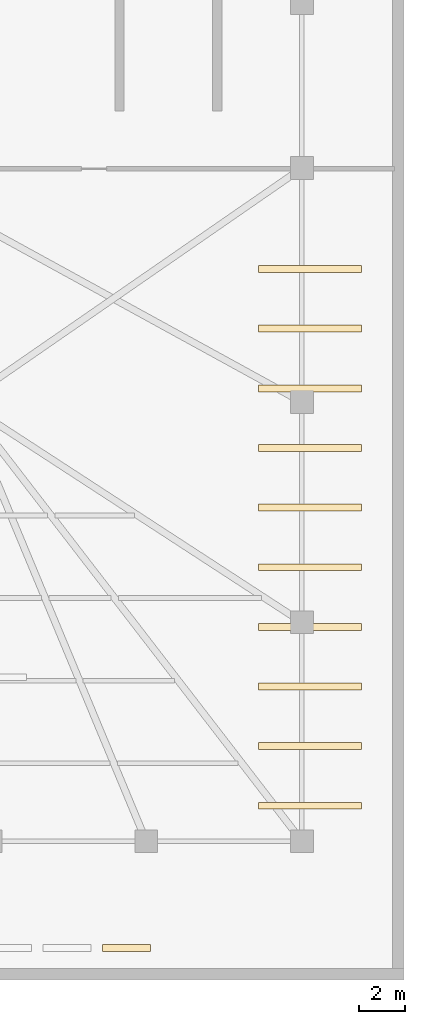
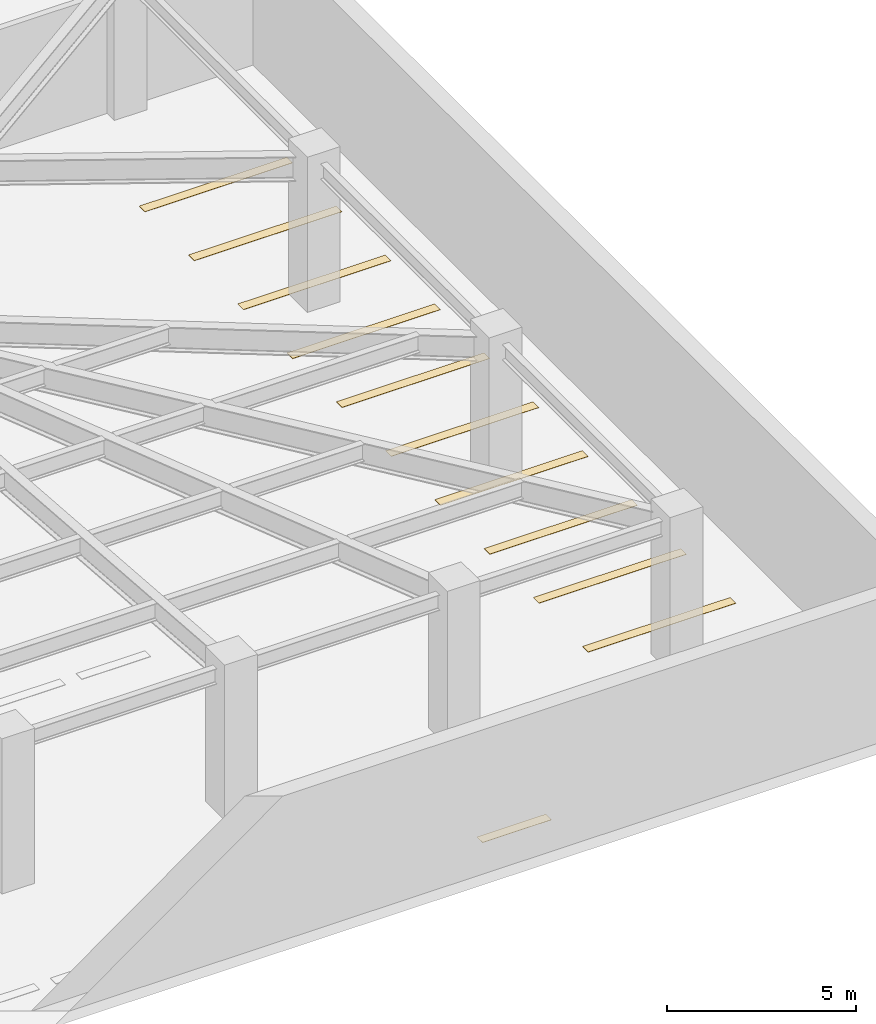
# One storey, part 8 of 8: 11 coverings.
"""IFC4 building model written with IfcOpenShell, lengths in metres."""

from ifc_helpers import new_model, si_unit, direction, frame, origin, place, context, subcontext, project, spatial, polyline, outline, extrude, material, layer, layer_set, type_object, element, save


model = new_model("IFC4")

# Units and contexts
model_context = context("Model", 3, precision=1e-05, world=origin(), true_north=direction((0.0, 1.0)))
body_context = subcontext(model_context, "Body", "Model", "MODEL_VIEW")
ifc_project = project(units=[si_unit("LENGTHUNIT", "METRE"), si_unit("AREAUNIT", "SQUARE_METRE"), si_unit("VOLUMEUNIT", "CUBIC_METRE"), si_unit("PLANEANGLEUNIT", "RADIAN"), si_unit("MASSUNIT", "GRAM", prefix="KILO")], contexts=[model_context])

# Site, building, storey
site_placement = place(None, origin())
site = spatial("IfcSite", under=ifc_project, at=site_placement, CompositionType="ELEMENT")
building_placement = place(site_placement, origin())
building = spatial("IfcBuilding", under=site, at=building_placement, Name="Yelkora Congress Tower", CompositionType="ELEMENT")
storey_placement = place(building_placement, frame((0.0, 0.0, -5.0)))
storey = spatial("IfcBuildingStorey", under=building, at=storey_placement, Name="B01", CompositionType="ELEMENT", Elevation=-5.0)

# Coverings
ifc_material = material(Name="Epoxy Resin Traffic Coating Grade E40", Category="plastic")
ifc_layer = layer(ifc_material, 0.010009765625)
ifc_layer_set = layer_set([ifc_layer], Name="Epoxy Resin Traffic Coating Grade E40")
covering_type = type_object("IfcCoveringType", Name="COV-PARK-BAY-10", PredefinedType="FLOORING", material=ifc_layer_set)
covering_1_placement = place(storey_placement, origin())
element("IfcCovering", 1, at=covering_1_placement, inside=storey, type_object=covering_type, Name="Parking Bay Marking PK-S20", PredefinedType="FLOORING", context=body_context, shape_type="SweptSolid", body=[
    extrude(outline(polyline([(63.64990234375, 1.25), (65.75, 1.25), (65.75, 1.550048828125), (63.64990234375, 1.550048828125), (63.64990234375, 1.25)])), origin(), (0.0, 0.0, 1.0), 0.010009765625),
])
covering_2_placement = place(storey_placement, origin())
element("IfcCovering", 2, at=covering_2_placement, inside=storey, type_object=covering_type, Name="Parking Bay Marking PK-S21", PredefinedType="FLOORING", context=body_context, shape_type="SweptSolid", body=[
    extrude(outline(polyline([(70.449951171875, 7.449951171875), (74.949951171875, 7.449951171875), (74.949951171875, 7.75), (70.449951171875, 7.75), (70.449951171875, 7.449951171875)])), origin(), (0.0, 0.0, 1.0), 0.010009765625),
])
covering_3_placement = place(storey_placement, origin())
element("IfcCovering", 3, at=covering_3_placement, inside=storey, type_object=covering_type, Name="Parking Bay Marking PK-S22", PredefinedType="FLOORING", context=body_context, shape_type="SweptSolid", body=[
    extrude(outline(polyline([(70.449951171875, 10.050048828125), (74.949951171875, 10.050048828125), (74.949951171875, 10.35009765625), (70.449951171875, 10.35009765625), (70.449951171875, 10.050048828125)])), origin(), (0.0, 0.0, 1.0), 0.010009765625),
])
covering_4_placement = place(storey_placement, origin())
element("IfcCovering", 4, at=covering_4_placement, inside=storey, type_object=covering_type, Name="Parking Bay Marking PK-S23", PredefinedType="FLOORING", context=body_context, shape_type="SweptSolid", body=[
    extrude(outline(polyline([(70.449951171875, 12.64990234375), (74.949951171875, 12.64990234375), (74.949951171875, 12.949951171875), (70.449951171875, 12.949951171875), (70.449951171875, 12.64990234375)])), origin(), (0.0, 0.0, 1.0), 0.010009765625),
])
covering_5_placement = place(storey_placement, origin())
element("IfcCovering", 5, at=covering_5_placement, inside=storey, type_object=covering_type, Name="Parking Bay Marking PK-S24", PredefinedType="FLOORING", context=body_context, shape_type="SweptSolid", body=[
    extrude(outline(polyline([(70.449951171875, 15.25), (74.949951171875, 15.25), (74.949951171875, 15.550048828125), (70.449951171875, 15.550048828125), (70.449951171875, 15.25)])), origin(), (0.0, 0.0, 1.0), 0.010009765625),
])
covering_6_placement = place(storey_placement, origin())
element("IfcCovering", 6, at=covering_6_placement, inside=storey, type_object=covering_type, Name="Parking Bay Marking PK-S25", PredefinedType="FLOORING", context=body_context, shape_type="SweptSolid", body=[
    extrude(outline(polyline([(70.449951171875, 17.85009765625), (74.949951171875, 17.85009765625), (74.949951171875, 18.14990234375), (70.449951171875, 18.14990234375), (70.449951171875, 17.85009765625)])), origin(), (0.0, 0.0, 1.0), 0.010009765625),
])
covering_7_placement = place(storey_placement, origin())
element("IfcCovering", 7, at=covering_7_placement, inside=storey, type_object=covering_type, Name="Parking Bay Marking PK-S26", PredefinedType="FLOORING", context=body_context, shape_type="SweptSolid", body=[
    extrude(outline(polyline([(70.449951171875, 20.449951171875), (74.949951171875, 20.449951171875), (74.949951171875, 20.75), (70.449951171875, 20.75), (70.449951171875, 20.449951171875)])), origin(), (0.0, 0.0, 1.0), 0.010009765625),
])
covering_8_placement = place(storey_placement, origin())
element("IfcCovering", 8, at=covering_8_placement, inside=storey, type_object=covering_type, Name="Parking Bay Marking PK-S27", PredefinedType="FLOORING", context=body_context, shape_type="SweptSolid", body=[
    extrude(outline(polyline([(70.449951171875, 23.050048828125), (74.949951171875, 23.050048828125), (74.949951171875, 23.35009765625), (70.449951171875, 23.35009765625), (70.449951171875, 23.050048828125)])), origin(), (0.0, 0.0, 1.0), 0.010009765625),
])
covering_9_placement = place(storey_placement, origin())
element("IfcCovering", 9, at=covering_9_placement, inside=storey, type_object=covering_type, Name="Parking Bay Marking PK-S28", PredefinedType="FLOORING", context=body_context, shape_type="SweptSolid", body=[
    extrude(outline(polyline([(70.449951171875, 25.64990234375), (74.949951171875, 25.64990234375), (74.949951171875, 25.949951171875), (70.449951171875, 25.949951171875), (70.449951171875, 25.64990234375)])), origin(), (0.0, 0.0, 1.0), 0.010009765625),
])
covering_10_placement = place(storey_placement, origin())
element("IfcCovering", 10, at=covering_10_placement, inside=storey, type_object=covering_type, Name="Parking Bay Marking PK-S29", PredefinedType="FLOORING", context=body_context, shape_type="SweptSolid", body=[
    extrude(outline(polyline([(70.449951171875, 28.25), (74.949951171875, 28.25), (74.949951171875, 28.550048828125), (70.449951171875, 28.550048828125), (70.449951171875, 28.25)])), origin(), (0.0, 0.0, 1.0), 0.010009765625),
])
covering_11_placement = place(storey_placement, origin())
element("IfcCovering", 11, at=covering_11_placement, inside=storey, type_object=covering_type, Name="Parking Bay Marking PK-S30", PredefinedType="FLOORING", context=body_context, shape_type="SweptSolid", body=[
    extrude(outline(polyline([(70.449951171875, 30.85009765625), (74.949951171875, 30.85009765625), (74.949951171875, 31.14990234375), (70.449951171875, 31.14990234375), (70.449951171875, 30.85009765625)])), origin(), (0.0, 0.0, 1.0), 0.010009765625),
])

save(model, "model.ifc")
